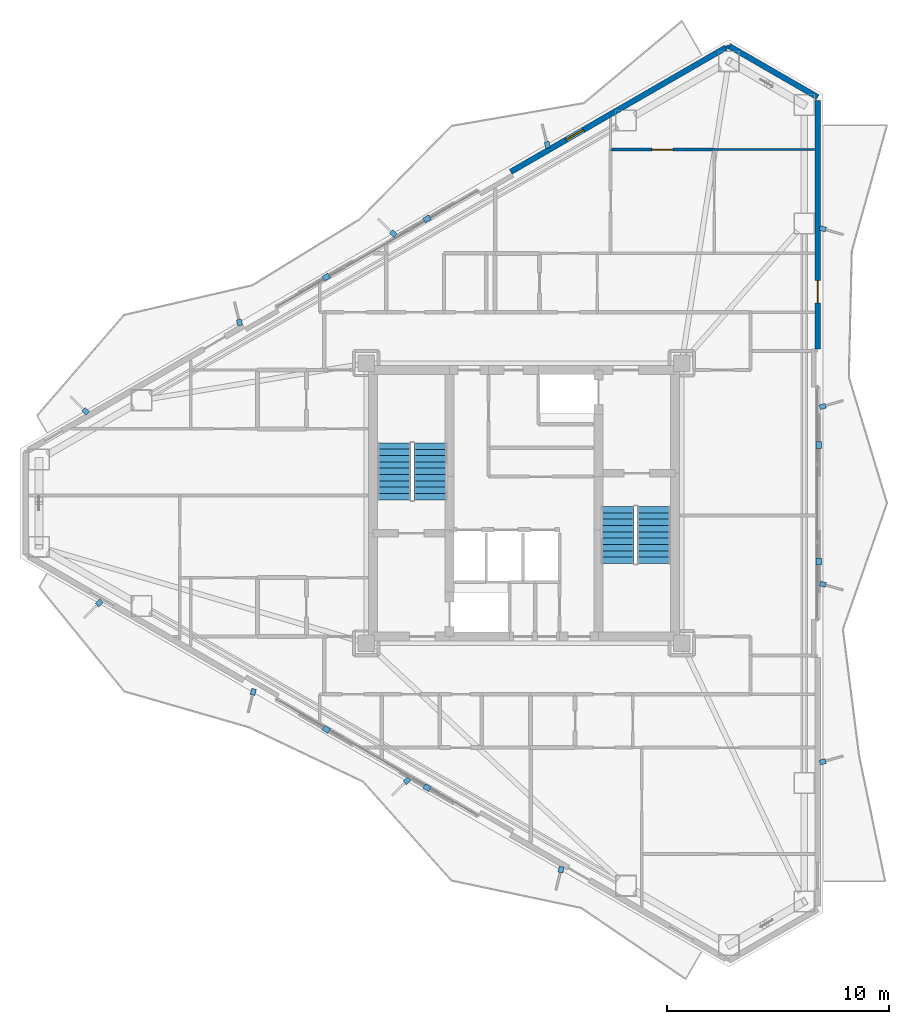
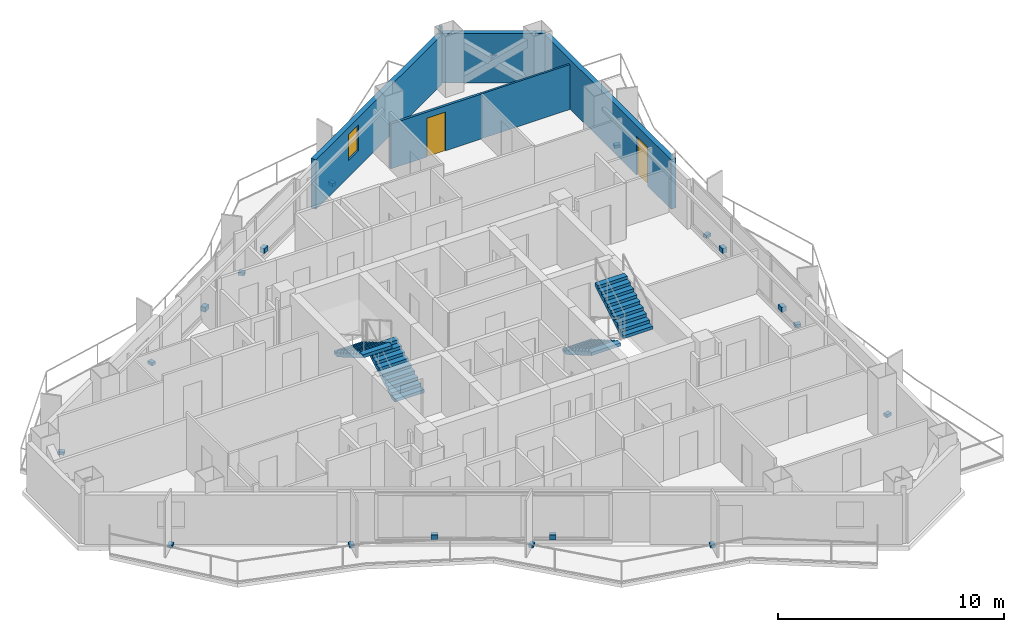
# One storey, part 17 of 19: 18 discrete accessories, 6 walls, 4 stair flights, 2 doors, 1 window, 3 openings, 2 elements without a shape of their own.
"""IFC4 building model written with IfcOpenShell, lengths in metres."""

from ifc_helpers import new_model, si_unit, direction, frame, frame_2d, origin, origin_2d, place, context, subcontext, project, spatial, polyline, rectangle, outline, extrude, material, layer, layer_set, type_object, element, fill, aggregate, save


model = new_model("IFC4")

# Units and contexts
model_context = context("Model", 3, precision=1e-05, world=origin(), true_north=direction((0.0, 1.0)))
body_context = subcontext(model_context, "Body", "Model", "MODEL_VIEW")
ifc_project = project(units=[si_unit("LENGTHUNIT", "METRE"), si_unit("AREAUNIT", "SQUARE_METRE"), si_unit("VOLUMEUNIT", "CUBIC_METRE"), si_unit("PLANEANGLEUNIT", "RADIAN"), si_unit("MASSUNIT", "GRAM", prefix="KILO")], contexts=[model_context])

# Site, building, storey
site_placement = place(None, origin())
site = spatial("IfcSite", under=ifc_project, at=site_placement, CompositionType="ELEMENT")
building_placement = place(site_placement, origin())
building = spatial("IfcBuilding", under=site, at=building_placement, Name="Mersakhor Tower and Convention Hall", CompositionType="ELEMENT")
storey_placement = place(building_placement, frame((0.0, 0.0, 141.0)))
storey = spatial("IfcBuildingStorey", under=building, at=storey_placement, Name="L39", CompositionType="ELEMENT", Elevation=141.0)

# Wall
ifc_material_1 = material(Name="Precast concrete C40/50", Category="concrete")
ifc_layer_1 = layer(ifc_material_1, 0.25)
ifc_layer_set_1 = layer_set([ifc_layer_1], Name="Precast concrete C40/50")
wall_type_1 = type_object("IfcWallType", Name="WL-EXT-250", PredefinedType="SOLIDWALL", material=ifc_layer_set_1)
wall_1_placement = place(storey_placement, frame((38.220458984375, 47.337646484375, 0.0), z_axis=(0.0, 0.0, 1.0), x_axis=(0.866035021055, -0.499983342029, 0.0)))
element("IfcWall", 1, at=wall_1_placement, inside=storey, type_object=wall_type_1, Name="L39 Chamfer Braced Spandrel Wall C1", PredefinedType="SOLIDWALL", context=body_context, shape_type="SweptSolid", body=[
    extrude(rectangle(XDim=4.617431640625, YDim=0.25, at=frame_2d((2.30859375, 0.0))), origin(), (0.0, 0.0, 1.0), 2.679931640625),
])

# Wall, opening, window
wall_2_placement = place(storey_placement, frame((28.4033203125, 41.669677734375, 0.0), z_axis=(0.0, 0.0, 1.0), x_axis=(0.86602239209, 0.500005216371, 0.0)))
wall_2 = element("IfcWall", 2, at=wall_2_placement, inside=storey, type_object=wall_type_1, Name="L39 Exterior Facade Wall F1-B3", PredefinedType="SOLIDWALL", context=body_context, shape_type="SweptSolid", body=[
    extrude(rectangle(XDim=11.18603515625, YDim=0.25, at=frame_2d((5.593017578125, 0.0))), origin(), (0.0, 0.0, 1.0), 2.679931640625),
])
opening_1_placement = place(wall_2_placement, frame((2.8798828125, 0.0, 0.89990234375)))
opening_1 = element("IfcOpeningElement", 3, at=opening_1_placement, cuts=wall_2, Name="Opening W-06", PredefinedType="OPENING", context=body_context, shape_type="SweptSolid", body=[
    extrude(rectangle(XDim=0.89990234375, YDim=1.39990234375, at=frame_2d((0.449951171875, 0.699951171875))), frame((0.0, 0.135009765625, 0.0), z_axis=(0.0, -1.0, 0.0), x_axis=(1.0, 0.0, 0.0)), (0.0, 0.0, 1.0), 0.27001953125),
])
ifc_material_2 = material(Name="Dark solar low-E glazed aluminium window", Category="aluminium")
window_type = type_object("IfcWindowType", Name="WN-STD-090x140", PartitioningType="SINGLE_PANEL", PredefinedType="WINDOW", material=ifc_material_2)
window_placement = place(opening_1_placement, origin())
window = element("IfcWindow", 4, at=window_placement, inside=storey, type_object=window_type, Name="L39 Facade Punched Window F1-B3", OverallHeight=1.39990234375, OverallWidth=0.89990234375, PartitioningType="SINGLE_PANEL", PredefinedType="WINDOW", context=body_context, shape_type="SweptSolid", body=[
    extrude(rectangle(XDim=0.89990234375, YDim=1.39990234375, at=frame_2d((0.449951171875, 0.699951171875))), frame((0.0, 0.030029296875, 0.0), z_axis=(0.0, -1.0, 0.0), x_axis=(1.0, 0.0, 0.0)), (0.0, 0.0, 1.0), 0.06005859375),
])
fill(opening_1, window)

# Wall, opening, door
wall_3_placement = place(storey_placement, frame((42.21923828125, 44.87890625, 0.0), z_axis=(0.0, 0.0, 1.0), x_axis=(0.0, -1.0, 0.0)))
wall_3 = element("IfcWall", 5, at=wall_3_placement, inside=storey, type_object=wall_type_1, Name="L39 Exterior Facade Wall F2-B1", PredefinedType="SOLIDWALL", context=body_context, shape_type="SweptSolid", body=[
    extrude(rectangle(XDim=11.185791015625, YDim=0.25, at=frame_2d((5.5927734375, 0.0))), origin(), (0.0, 0.0, 1.0), 2.679931640625),
])
opening_2_placement = place(wall_3_placement, frame((8.10888671875, 0.0, 0.0)))
opening_2 = element("IfcOpeningElement", 6, at=opening_2_placement, cuts=wall_3, Name="Opening BD-01", PredefinedType="OPENING", context=body_context, shape_type="SweptSolid", body=[
    extrude(rectangle(XDim=1.0, YDim=2.10009765625, at=frame_2d((0.5, 1.050048828125))), frame((0.0, 0.135009765625, 0.0), z_axis=(0.0, -1.0, 0.0), x_axis=(1.0, 0.0, 0.0)), (0.0, 0.0, 1.0), 0.27001953125),
])
ifc_material_3 = material(Name="Thermally broken dark aluminium and safety glass", Category="aluminium")
door_type_1 = type_object("IfcDoorType", Name="DR-BAL-100x210", OperationType="NOTDEFINED", PredefinedType="DOOR", material=ifc_material_3)
door_1_placement = place(opening_2_placement, origin())
door_1 = element("IfcDoor", 7, at=door_1_placement, inside=storey, type_object=door_type_1, Name="L39 Balcony Terrace Door F2-B1", OperationType="SINGLE_SWING_LEFT", OverallHeight=2.10009765625, OverallWidth=1.0, PredefinedType="DOOR", context=body_context, shape_type="SweptSolid", body=[
    extrude(rectangle(XDim=1.0, YDim=2.10009765625, at=frame_2d((0.5, 1.050048828125))), frame((0.0, 0.02490234375, 0.0), z_axis=(0.0, -1.0, 0.0), x_axis=(1.0, 0.0, 0.0)), (0.0, 0.0, 1.0), 0.050048828125),
])
fill(opening_2, door_1)

# Wall
ifc_material_4 = material(Name="Lightweight gypsum partition", Category="other")
ifc_layer_2 = layer(ifc_material_4, 0.10009765625)
ifc_layer_set_2 = layer_set([ifc_layer_2], Name="Lightweight gypsum partition")
wall_type_2 = type_object("IfcWallType", Name="WL-PRT-100", PredefinedType="PARTITIONING", material=ifc_layer_set_2)
wall_4_placement = place(storey_placement, frame((37.56005859375, 42.669921875, 0.0), z_axis=(0.0, 0.0, 1.0), x_axis=(1.0, 0.0, 0.0)))
element("IfcWall", 8, at=wall_4_placement, inside=storey, type_object=wall_type_2, Name="L39 Interior Partition Wall P-118", PredefinedType="PARTITIONING", context=body_context, shape_type="SweptSolid", body=[
    extrude(rectangle(XDim=4.51025390625, YDim=0.10009765625, at=frame_2d((2.255126953125, 0.0))), origin(), (0.0, 0.0, 1.0), 2.432861328125),
])

# Wall, opening, door
ifc_material_5 = material(Name="Gypsum board acoustic partition", Category="other")
ifc_layer_3 = layer(ifc_material_5, 0.125)
ifc_layer_set_3 = layer_set([ifc_layer_3], Name="Gypsum board acoustic partition")
wall_type_3 = type_object("IfcWallType", Name="WL-PRT-125", PredefinedType="PARTITIONING", material=ifc_layer_set_3)
wall_5_placement = place(storey_placement, frame((32.89990234375, 42.669921875, 0.0), z_axis=(0.0, 0.0, 1.0), x_axis=(1.0, 0.0, 0.0)))
wall_5 = element("IfcWall", 9, at=wall_5_placement, inside=storey, type_object=wall_type_3, Name="L39 Interior Partition Wall P-117", PredefinedType="PARTITIONING", context=body_context, shape_type="SweptSolid", body=[
    extrude(rectangle(XDim=4.66015625, YDim=0.125, at=frame_2d((2.330078125, 0.0))), origin(), (0.0, 0.0, 1.0), 2.432861328125),
])
opening_3_placement = place(wall_5_placement, frame((1.85498046875, 0.0, 0.0)))
opening_3 = element("IfcOpeningElement", 10, at=opening_3_placement, cuts=wall_5, Name="Opening RD-01", PredefinedType="OPENING", context=body_context, shape_type="SweptSolid", body=[
    extrude(rectangle(XDim=0.949951171875, YDim=2.10009765625, at=frame_2d((0.47509765625, 1.050048828125))), frame((0.0, 0.072509765625, 0.0), z_axis=(0.0, -1.0, 0.0), x_axis=(1.0, 0.0, 0.0)), (0.0, 0.0, 1.0), 0.14501953125),
])
ifc_material_6 = material(Name="Solid-core hardwood leaf in painted steel frame", Category="steel")
door_type_2 = type_object("IfcDoorType", Name="DR-INT-RM-095x210", OperationType="NOTDEFINED", PredefinedType="DOOR", material=ifc_material_6)
door_2_placement = place(opening_3_placement, origin())
door_2 = element("IfcDoor", 11, at=door_2_placement, inside=storey, type_object=door_type_2, Name="L39 L39 Flat N2 Bedroom 1 to L39 Flat N2 Study Room Door", OperationType="SINGLE_SWING_LEFT", OverallHeight=2.10009765625, OverallWidth=0.949951171875, PredefinedType="DOOR", context=body_context, shape_type="SweptSolid", body=[
    extrude(rectangle(XDim=0.949951171875, YDim=2.10009765625, at=frame_2d((0.47509765625, 1.050048828125))), frame((0.0, 0.02490234375, 0.0), z_axis=(0.0, -1.0, 0.0), x_axis=(1.0, 0.0, 0.0)), (0.0, 0.0, 1.0), 0.050048828125),
])
fill(opening_3, door_2)

# Wall
wall_6_placement = place(storey_placement, frame((38.090576171875, 47.2626953125, 0.0), z_axis=(0.0, 0.0, 1.0), x_axis=(0.865833797362, 0.500331725305, 0.0)))
element("IfcWall", 12, at=wall_6_placement, inside=storey, type_object=wall_type_3, Name="L39 Interior Partition Wall P-119", PredefinedType="PARTITIONING", context=body_context, shape_type="SweptSolid", body=[
    extrude(rectangle(XDim=0.150390625, YDim=0.125, at=frame_2d((0.0751953125, 0.0))), origin(), (0.0, 0.0, 1.0), 3.06005859375),
])

# Stair, stair flights
ifc_material_7 = material(Name="Concrete C45/55", Category="concrete")
stair_type = type_object("IfcStairType", Name="ST-TWR-20R", PredefinedType="HALF_TURN_STAIR", material=ifc_material_7)
stair_1_placement = place(storey_placement, origin())
stair_1 = element("IfcStair", 13, at=stair_1_placement, inside=storey, type_object=stair_type, Name="L39 Tower Protected Exit Stair ST-1", PredefinedType="HALF_TURN_STAIR")
ifc_material_8 = material(Name="Concrete C45/55", Category="concrete")
stair_flight_type = type_object("IfcStairFlightType", Name="SFL-TWR-20R", PredefinedType="STRAIGHT", material=ifc_material_8)
stair_flight_1_placement = place(storey_placement, frame((24.800048828125, 26.89990234375, 0.0), z_axis=(0.0, 0.0, 1.0), x_axis=(0.0, 1.0, 0.0)))
stair_flight_1 = element("IfcStairFlight", 14, at=stair_flight_1_placement, type_object=stair_flight_type, Name="ST-1 flight 1", NumberOfRisers=10, NumberOfTreads=9, PredefinedType="STRAIGHT", RiserHeight=0.165, TreadLength=0.285, context=body_context, shape_type="SweptSolid", body=[
    extrude(outline(polyline([(0.0, 0.0), (0.0, 0.1650390625), (0.284912109375, 0.1650390625), (0.284912109375, 0.330078125), (0.570068359375, 0.330078125), (0.570068359375, 0.4951171875), (0.85498046875, 0.4951171875), (0.85498046875, 0.659912109375), (1.139892578125, 0.659912109375), (1.139892578125, 0.824951171875), (1.425048828125, 0.824951171875), (1.425048828125, 0.989990234375), (1.7099609375, 0.989990234375), (1.7099609375, 1.155029296875), (1.9951171875, 1.155029296875), (1.9951171875, 1.320068359375), (2.280029296875, 1.320068359375), (2.280029296875, 1.485107421875), (2.56494140625, 1.485107421875), (2.56494140625, 1.64990234375), (2.56494140625, 1.311767578125), (0.299072265625, 0.0), (0.0, 0.0)])), frame((0.0, 0.75, 0.0), z_axis=(0.0, -1.0, 0.0), x_axis=(1.0, 0.0, 0.0)), (0.0, 0.0, 1.0), 1.5),
])
stair_flight_2_placement = place(storey_placement, frame((23.14990234375, 29.465087890625, 1.64990234375), z_axis=(0.0, 0.0, 1.0), x_axis=(0.0, -1.0, 0.0)))
stair_flight_2 = element("IfcStairFlight", 15, at=stair_flight_2_placement, type_object=stair_flight_type, Name="ST-1 flight 2", NumberOfRisers=10, NumberOfTreads=9, PredefinedType="STRAIGHT", RiserHeight=0.165, TreadLength=0.285, context=body_context, shape_type="SweptSolid", body=[
    extrude(outline(polyline([(0.0, 0.0), (0.0, 0.1650390625), (0.284912109375, 0.1650390625), (0.284912109375, 0.330078125), (0.570068359375, 0.330078125), (0.570068359375, 0.4951171875), (0.85498046875, 0.4951171875), (0.85498046875, 0.659912109375), (1.139892578125, 0.659912109375), (1.139892578125, 0.824951171875), (1.425048828125, 0.824951171875), (1.425048828125, 0.989990234375), (1.7099609375, 0.989990234375), (1.7099609375, 1.155029296875), (1.9951171875, 1.155029296875), (1.9951171875, 1.320068359375), (2.280029296875, 1.320068359375), (2.280029296875, 1.485107421875), (2.56494140625, 1.485107421875), (2.56494140625, 1.64990234375), (2.56494140625, 1.311767578125), (0.299072265625, 0.0), (0.0, 0.0)])), frame((0.0, 0.75, 0.0), z_axis=(0.0, -1.0, 0.0), x_axis=(1.0, 0.0, 0.0)), (0.0, 0.0, 1.0), 1.5),
])
aggregate(stair_1, [stair_flight_1, stair_flight_2])

stair_2_placement = place(storey_placement, origin())
stair_2 = element("IfcStair", 16, at=stair_2_placement, inside=storey, type_object=stair_type, Name="L39 Tower Protected Exit Stair ST-2", PredefinedType="HALF_TURN_STAIR")
stair_flight_3_placement = place(storey_placement, frame((33.199951171875, 26.60009765625, 0.0), z_axis=(0.0, 0.0, 1.0), x_axis=(0.0, -1.0, 0.0)))
stair_flight_3 = element("IfcStairFlight", 17, at=stair_flight_3_placement, type_object=stair_flight_type, Name="ST-2 flight 1", NumberOfRisers=10, NumberOfTreads=9, PredefinedType="STRAIGHT", RiserHeight=0.165, TreadLength=0.285, context=body_context, shape_type="SweptSolid", body=[
    extrude(outline(polyline([(0.0, 0.0), (0.0, 0.1650390625), (0.284912109375, 0.1650390625), (0.284912109375, 0.330078125), (0.570068359375, 0.330078125), (0.570068359375, 0.4951171875), (0.85498046875, 0.4951171875), (0.85498046875, 0.659912109375), (1.139892578125, 0.659912109375), (1.139892578125, 0.824951171875), (1.425048828125, 0.824951171875), (1.425048828125, 0.989990234375), (1.7099609375, 0.989990234375), (1.7099609375, 1.155029296875), (1.9951171875, 1.155029296875), (1.9951171875, 1.320068359375), (2.280029296875, 1.320068359375), (2.280029296875, 1.485107421875), (2.56494140625, 1.485107421875), (2.56494140625, 1.64990234375), (2.56494140625, 1.311767578125), (0.299072265625, 0.0), (0.0, 0.0)])), frame((0.0, 0.75, 0.0), z_axis=(0.0, -1.0, 0.0), x_axis=(1.0, 0.0, 0.0)), (0.0, 0.0, 1.0), 1.5),
])
stair_flight_4_placement = place(storey_placement, frame((34.85009765625, 24.034912109375, 1.64990234375), z_axis=(0.0, 0.0, 1.0), x_axis=(0.0, 1.0, 0.0)))
stair_flight_4 = element("IfcStairFlight", 18, at=stair_flight_4_placement, type_object=stair_flight_type, Name="ST-2 flight 2", NumberOfRisers=10, NumberOfTreads=9, PredefinedType="STRAIGHT", RiserHeight=0.165, TreadLength=0.285, context=body_context, shape_type="SweptSolid", body=[
    extrude(outline(polyline([(0.0, 0.0), (0.0, 0.1650390625), (0.284912109375, 0.1650390625), (0.284912109375, 0.330078125), (0.570068359375, 0.330078125), (0.570068359375, 0.4951171875), (0.85498046875, 0.4951171875), (0.85498046875, 0.659912109375), (1.139892578125, 0.659912109375), (1.139892578125, 0.824951171875), (1.425048828125, 0.824951171875), (1.425048828125, 0.989990234375), (1.7099609375, 0.989990234375), (1.7099609375, 1.155029296875), (1.9951171875, 1.155029296875), (1.9951171875, 1.320068359375), (2.280029296875, 1.320068359375), (2.280029296875, 1.485107421875), (2.56494140625, 1.485107421875), (2.56494140625, 1.64990234375), (2.56494140625, 1.311767578125), (0.299072265625, 0.0), (0.0, 0.0)])), frame((0.0, 0.75, 0.0), z_axis=(0.0, -1.0, 0.0), x_axis=(1.0, 0.0, 0.0)), (0.0, 0.0, 1.0), 1.5),
])
aggregate(stair_2, [stair_flight_3, stair_flight_4])

# Discrete accessories
ifc_material_9 = material(Name="Galvanised steel bracket", Category="steel")
ifc_layer_4 = layer(ifc_material_9, 0.02001953125)
ifc_layer_set_4 = layer_set([ifc_layer_4], Name="Galvanised steel bracket")
discrete_accessory_type = type_object("IfcDiscreteAccessoryType", Name="ACC-BRK-STL", PredefinedType="BRACKET", material=ifc_layer_set_4)
for number, where, z_axis, x_axis, name in (
    (19, (20.09521484375, 36.9306640625, 0.2900390625), (0.0, 0.0, 1.0), (0.866025403784, 0.5, 0.0), "L39 Solar Screen Outrigger Bracket BRK-1-1"),
    (20, (24.6357421875, 39.55224609375, 0.2900390625), (0.0, 0.0, 1.0), (0.866025403784, 0.5, 0.0), "L39 Solar Screen Outrigger Bracket BRK-1-2"),
):
    element("IfcDiscreteAccessory", number, at=place(storey_placement, frame(where, z_axis=z_axis, x_axis=x_axis)), inside=storey, type_object=discrete_accessory_type, Name=name, PredefinedType="BRACKET", context=body_context, shape_type="SweptSolid", body=[
        extrude(rectangle(XDim=0.300048828125, YDim=0.239990234375, at=origin_2d()), origin(), (0.0, 0.0, 1.0), 0.260009765625),
    ])
for number, where, z_axis, x_axis, name in (
    (21, (9.264892578125, 30.8857421875, -0.02001953125), (0.0, 0.0, 1.0), (-0.719339800339, 0.694658370459, 0.0), "L39 Facade Fin Base Cleat Bracket FBRK-1-1"),
    (22, (16.193115234375, 34.8857421875, -0.02001953125), (0.0, 0.0, 1.0), (-0.2419218956, 0.970295726276, 0.0), "L39 Facade Fin Base Cleat Bracket FBRK-1-2"),
    (23, (23.12109375, 38.8857421875, -0.02001953125), (0.0, 0.0, 1.0), (-0.719339800339, 0.694658370459, 0.0), "L39 Facade Fin Base Cleat Bracket FBRK-1-3"),
    (24, (30.04931640625, 42.885498046875, -0.02001953125), (0.0, 0.0, 1.0), (-0.2419218956, 0.970295726276, 0.0), "L39 Facade Fin Base Cleat Bracket FBRK-1-4"),
):
    element("IfcDiscreteAccessory", number, at=place(storey_placement, frame(where, z_axis=z_axis, x_axis=x_axis)), inside=storey, type_object=discrete_accessory_type, Name=name, PredefinedType="BRACKET", context=body_context, shape_type="SweptSolid", body=[
        extrude(rectangle(XDim=0.280029296875, YDim=0.219970703125, at=origin_2d()), origin(), (0.0, 0.0, 1.0), 0.159912109375),
    ])
for number, where, z_axis, x_axis, name in (
    (25, (42.269287109375, 29.37158203125, 0.2900390625), (0.0, 0.0, 1.0), (0.0, -1.0, 0.0), "L39 Solar Screen Outrigger Bracket BRK-2-1"),
    (26, (42.269287109375, 24.12841796875, 0.2900390625), (0.0, 0.0, 1.0), (0.0, -1.0, 0.0), "L39 Solar Screen Outrigger Bracket BRK-2-2"),
):
    element("IfcDiscreteAccessory", number, at=place(storey_placement, frame(where, z_axis=z_axis, x_axis=x_axis)), inside=storey, type_object=discrete_accessory_type, Name=name, PredefinedType="BRACKET", context=body_context, shape_type="SweptSolid", body=[
        extrude(rectangle(XDim=0.300048828125, YDim=0.239990234375, at=origin_2d()), origin(), (0.0, 0.0, 1.0), 0.260009765625),
    ])
for number, where, z_axis, x_axis, name in (
    (27, (42.44921875, 39.106689453125, -0.02001953125), (0.0, 0.0, 1.0), (0.961261695938, -0.275637355817, 0.0), "L39 Facade Fin Base Cleat Bracket FBRK-2-1"),
    (28, (42.44921875, 31.106689453125, -0.02001953125), (0.0, 0.0, 1.0), (0.961261695938, 0.275637355817, 0.0), "L39 Facade Fin Base Cleat Bracket FBRK-2-2"),
    (29, (42.44921875, 23.106689453125, -0.02001953125), (0.0, 0.0, 1.0), (0.961261695938, -0.275637355817, 0.0), "L39 Facade Fin Base Cleat Bracket FBRK-2-3"),
    (30, (42.44921875, 15.106689453125, -0.02001953125), (0.0, 0.0, 1.0), (0.961261695938, 0.275637355817, 0.0), "L39 Facade Fin Base Cleat Bracket FBRK-2-4"),
):
    element("IfcDiscreteAccessory", number, at=place(storey_placement, frame(where, z_axis=z_axis, x_axis=x_axis)), inside=storey, type_object=discrete_accessory_type, Name=name, PredefinedType="BRACKET", context=body_context, shape_type="SweptSolid", body=[
        extrude(rectangle(XDim=0.280029296875, YDim=0.219970703125, at=origin_2d()), origin(), (0.0, 0.0, 1.0), 0.159912109375),
    ])
for number, where, z_axis, x_axis, name in (
    (31, (24.6357421875, 13.94775390625, 0.2900390625), (0.0, 0.0, 1.0), (-0.866025403784, 0.5, 0.0), "L39 Solar Screen Outrigger Bracket BRK-3-1"),
    (32, (20.09521484375, 16.5693359375, 0.2900390625), (0.0, 0.0, 1.0), (-0.866025403784, 0.5, 0.0), "L39 Solar Screen Outrigger Bracket BRK-3-2"),
):
    element("IfcDiscreteAccessory", number, at=place(storey_placement, frame(where, z_axis=z_axis, x_axis=x_axis)), inside=storey, type_object=discrete_accessory_type, Name=name, PredefinedType="BRACKET", context=body_context, shape_type="SweptSolid", body=[
        extrude(rectangle(XDim=0.300048828125, YDim=0.239990234375, at=origin_2d()), origin(), (0.0, 0.0, 1.0), 0.260009765625),
    ])
for number, where, z_axis, x_axis, name in (
    (33, (30.667236328125, 10.2578125, -0.02001953125), (0.0, 0.0, 1.0), (-0.2419218956, -0.970295726276, 0.0), "L39 Facade Fin Base Cleat Bracket FBRK-3-1"),
    (34, (23.739013671875, 14.2578125, -0.02001953125), (0.0, 0.0, 1.0), (-0.719339800339, -0.694658370459, 0.0), "L39 Facade Fin Base Cleat Bracket FBRK-3-2"),
    (35, (16.810791015625, 18.2578125, -0.02001953125), (0.0, 0.0, 1.0), (-0.2419218956, -0.970295726276, 0.0), "L39 Facade Fin Base Cleat Bracket FBRK-3-3"),
    (36, (9.882568359375, 22.257568359375, -0.02001953125), (0.0, 0.0, 1.0), (-0.719339800339, -0.694658370459, 0.0), "L39 Facade Fin Base Cleat Bracket FBRK-3-4"),
):
    element("IfcDiscreteAccessory", number, at=place(storey_placement, frame(where, z_axis=z_axis, x_axis=x_axis)), inside=storey, type_object=discrete_accessory_type, Name=name, PredefinedType="BRACKET", context=body_context, shape_type="SweptSolid", body=[
        extrude(rectangle(XDim=0.280029296875, YDim=0.219970703125, at=origin_2d()), origin(), (0.0, 0.0, 1.0), 0.159912109375),
    ])

save(model, "model.ifc")
